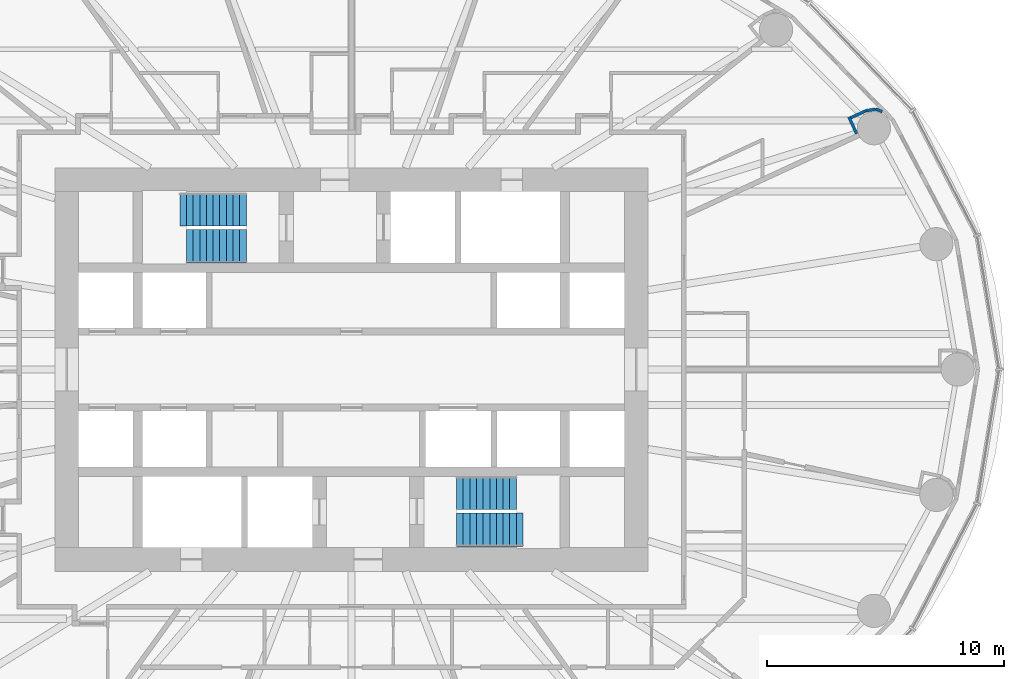
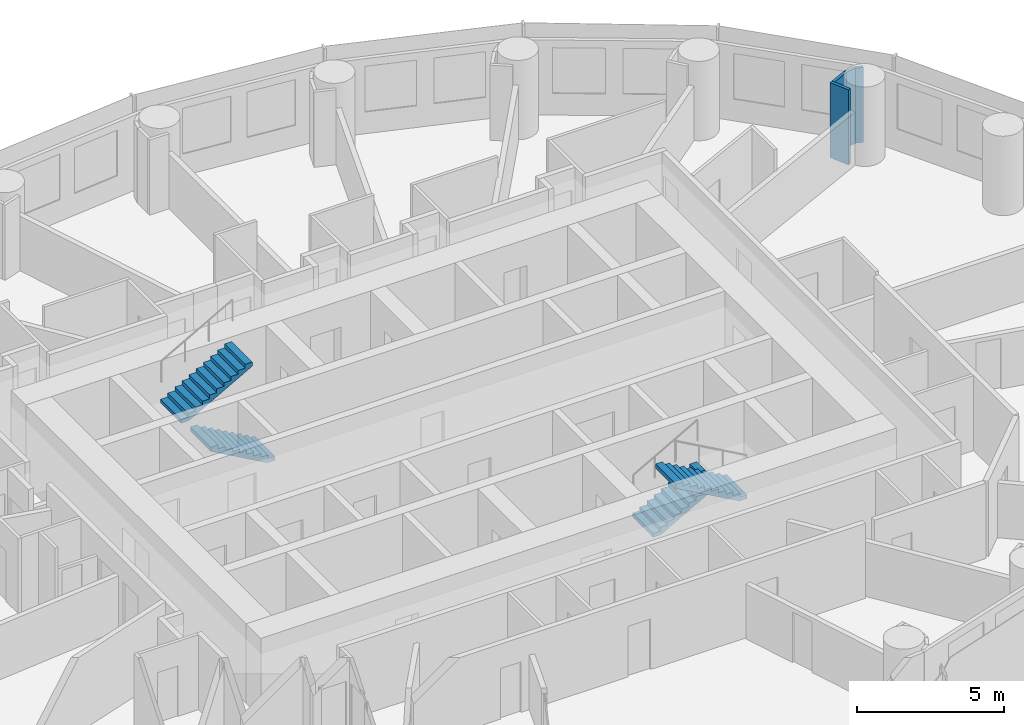
# One storey, part 13 of 14: 4 stair flights, 4 walls, 2 elements without a shape of their own.
"""IFC4 building model written with IfcOpenShell, lengths in metres."""

from ifc_helpers import new_model, si_unit, direction, frame, frame_2d, origin, place, context, subcontext, project, spatial, polyline, rectangle, outline, extrude, material, layer, layer_set, type_object, element, aggregate, save


model = new_model("IFC4")

# Units and contexts
model_context = context("Model", 3, precision=1e-05, world=origin(), true_north=direction((0.0, 1.0)))
body_context = subcontext(model_context, "Body", "Model", "MODEL_VIEW")
ifc_project = project(units=[si_unit("LENGTHUNIT", "METRE"), si_unit("AREAUNIT", "SQUARE_METRE"), si_unit("VOLUMEUNIT", "CUBIC_METRE"), si_unit("PLANEANGLEUNIT", "RADIAN"), si_unit("MASSUNIT", "GRAM", prefix="KILO")], contexts=[model_context])

# Site, building, storey
site_placement = place(None, origin())
site = spatial("IfcSite", under=ifc_project, at=site_placement, CompositionType="ELEMENT")
building_placement = place(site_placement, origin())
building = spatial("IfcBuilding", under=site, at=building_placement, Name="Hankou Lantern Tower", CompositionType="ELEMENT")
storey_placement = place(building_placement, frame((0.0, 0.0, 87.0)))
storey = spatial("IfcBuildingStorey", under=building, at=storey_placement, Name="L22", CompositionType="ELEMENT", Elevation=87.0)

# Walls
ifc_material_1 = material(Name="Masonry lightweight concrete block", Category="masonry")
ifc_layer = layer(ifc_material_1, 0.1201171875)
ifc_layer_set = layer_set([ifc_layer], Name="Masonry lightweight concrete block")
wall_type = type_object("IfcWallType", Name="IW4 PARTITION 120", PredefinedType="PARTITIONING", material=ifc_layer_set)
wall_1_placement = place(storey_placement, frame((21.287109375, 9.9423828125, 0.0), z_axis=(0.0, 0.0, 1.0), x_axis=(-0.419259891039, 0.907866258744, 0.0)))
element("IfcWall", 1, at=wall_1_placement, inside=storey, type_object=wall_type, Name="Column casing R03 return", PredefinedType="PARTITIONING", context=body_context, shape_type="SweptSolid", body=[
    extrude(rectangle(XDim=0.767578125, YDim=0.1201171875, at=frame_2d((0.3837890625, 0.0))), origin(), (0.0, 0.0, 1.0), 3.1201171875),
])
wall_2_placement = place(storey_placement, frame((21.044921875, 10.60986328125, 0.0), z_axis=(0.0, 0.0, 1.0), x_axis=(0.907877701396, 0.419235112208, 0.0)))
element("IfcWall", 2, at=wall_2_placement, inside=storey, type_object=wall_type, Name="Column casing R03", PredefinedType="PARTITIONING", context=body_context, shape_type="SweptSolid", body=[
    extrude(rectangle(XDim=0.699951171875, YDim=0.1201171875, at=frame_2d((0.35009765625, 0.0))), origin(), (0.0, 0.0, 1.0), 3.1201171875),
])
wall_3_placement = place(storey_placement, frame((21.680419921875, 10.9033203125, 0.0), z_axis=(0.0, 0.0, 1.0), x_axis=(0.985446622073, 0.169985161247, 0.0)))
element("IfcWall", 3, at=wall_3_placement, inside=storey, type_object=wall_type, Name="Column casing R03", PredefinedType="PARTITIONING", context=body_context, shape_type="SweptSolid", body=[
    extrude(rectangle(XDim=0.41796875, YDim=0.1201171875, at=frame_2d((0.208984375, 0.0))), origin(), (0.0, 0.0, 1.0), 3.1201171875),
])
wall_4_placement = place(storey_placement, frame((22.09228515625, 10.974365234375, 0.0), z_axis=(0.0, 0.0, 1.0), x_axis=(0.938428160676, -0.345474437912, 0.0)))
element("IfcWall", 4, at=wall_4_placement, inside=storey, type_object=wall_type, Name="Column casing R03", PredefinedType="PARTITIONING", context=body_context, shape_type="SweptSolid", body=[
    extrude(rectangle(XDim=0.2939453125, YDim=0.1201171875, at=frame_2d((0.14697265625, 0.0))), origin(), (0.0, 0.0, 1.0), 3.1201171875),
])

# Stair, stair flight
ifc_material_2 = material(Name="Concrete C40", Category="concrete")
stair_type = type_object("IfcStairType", Name="ST33 CORE STAIR 3300 RISE", PredefinedType="HALF_TURN_STAIR", material=ifc_material_2)
stair_1_placement = place(storey_placement, origin())
stair_1 = element("IfcStair", 5, at=stair_1_placement, inside=storey, type_object=stair_type, Name="Stair STA L22", PredefinedType="HALF_TURN_STAIR")
ifc_material_3 = material(Name="Concrete C40", Category="concrete")
stair_flight_type_1 = type_object("IfcStairFlightType", Name="CF10 CORE STAIR FLIGHT 1400 X 10 RISERS", PredefinedType="STRAIGHT", material=ifc_material_3)
stair_flight_1_placement = place(storey_placement, frame((-4.429931640625, 5.199951171875, 0.0), z_axis=(0.0, 0.0, 1.0), x_axis=(-1.0, 0.0, 0.0)))
stair_flight_1 = element("IfcStairFlight", 6, at=stair_flight_1_placement, type_object=stair_flight_type_1, Name="STA flight 1", NumberOfRisers=10, NumberOfTreads=9, PredefinedType="STRAIGHT", RiserHeight=0.157142857, TreadLength=0.28, context=body_context, shape_type="SweptSolid", body=[
    extrude(outline(polyline([(0.0, 0.0), (0.0, 0.1572265625), (0.280029296875, 0.1572265625), (0.280029296875, 0.314208984375), (0.56005859375, 0.314208984375), (0.56005859375, 0.471435546875), (0.840087890625, 0.471435546875), (0.840087890625, 0.628662109375), (1.1201171875, 0.628662109375), (1.1201171875, 0.78564453125), (1.39990234375, 0.78564453125), (1.39990234375, 0.94287109375), (1.679931640625, 0.94287109375), (1.679931640625, 1.10009765625), (1.9599609375, 1.10009765625), (1.9599609375, 1.257080078125), (2.239990234375, 1.257080078125), (2.239990234375, 1.414306640625), (2.52001953125, 1.414306640625), (2.52001953125, 1.571533203125), (2.52001953125, 1.242431640625), (0.306396484375, 0.0), (0.0, 0.0)])), frame((0.0, 0.699951171875, 0.0), z_axis=(0.0, -1.0, 0.0), x_axis=(1.0, 0.0, 0.0)), (0.0, 0.0, 1.0), 1.39990234375),
])

stair_2_placement = place(storey_placement, origin())
stair_2 = element("IfcStair", 7, at=stair_2_placement, inside=storey, type_object=stair_type, Name="Stair STB L22", PredefinedType="HALF_TURN_STAIR")
stair_flight_2_placement = place(storey_placement, frame((4.429931640625, -5.199951171875, 0.0), z_axis=(0.0, 0.0, 1.0), x_axis=(1.0, 0.0, 0.0)))
stair_flight_2 = element("IfcStairFlight", 8, at=stair_flight_2_placement, type_object=stair_flight_type_1, Name="STB flight 1", NumberOfRisers=10, NumberOfTreads=9, PredefinedType="STRAIGHT", RiserHeight=0.157142857, TreadLength=0.28, context=body_context, shape_type="SweptSolid", body=[
    extrude(outline(polyline([(0.0, 0.0), (0.0, 0.1572265625), (0.280029296875, 0.1572265625), (0.280029296875, 0.314208984375), (0.56005859375, 0.314208984375), (0.56005859375, 0.471435546875), (0.840087890625, 0.471435546875), (0.840087890625, 0.628662109375), (1.1201171875, 0.628662109375), (1.1201171875, 0.78564453125), (1.39990234375, 0.78564453125), (1.39990234375, 0.94287109375), (1.679931640625, 0.94287109375), (1.679931640625, 1.10009765625), (1.9599609375, 1.10009765625), (1.9599609375, 1.257080078125), (2.239990234375, 1.257080078125), (2.239990234375, 1.414306640625), (2.52001953125, 1.414306640625), (2.52001953125, 1.571533203125), (2.52001953125, 1.242431640625), (0.306396484375, 0.0), (0.0, 0.0)])), frame((0.0, 0.699951171875, 0.0), z_axis=(0.0, -1.0, 0.0), x_axis=(1.0, 0.0, 0.0)), (0.0, 0.0, 1.0), 1.39990234375),
])

# Stair flight
ifc_material_4 = material(Name="Concrete C40", Category="concrete")
stair_flight_type_2 = type_object("IfcStairFlightType", Name="CF11 CORE STAIR FLIGHT 1400 X 11 RISERS", PredefinedType="STRAIGHT", material=ifc_material_4)
stair_flight_3_placement = place(storey_placement, frame((-7.22998046875, 6.75, 1.571533203125), z_axis=(0.0, 0.0, 1.0), x_axis=(1.0, 0.0, 0.0)))
stair_flight_3 = element("IfcStairFlight", 9, at=stair_flight_3_placement, type_object=stair_flight_type_2, Name="STA flight 2", NumberOfRisers=11, NumberOfTreads=10, PredefinedType="STRAIGHT", RiserHeight=0.157142857, TreadLength=0.28, context=body_context, shape_type="SweptSolid", body=[
    extrude(outline(polyline([(0.0, 0.0), (0.0, 0.1572265625), (0.280029296875, 0.1572265625), (0.280029296875, 0.314208984375), (0.56005859375, 0.314208984375), (0.56005859375, 0.471435546875), (0.840087890625, 0.471435546875), (0.840087890625, 0.628662109375), (1.1201171875, 0.628662109375), (1.1201171875, 0.78564453125), (1.39990234375, 0.78564453125), (1.39990234375, 0.94287109375), (1.679931640625, 0.94287109375), (1.679931640625, 1.10009765625), (1.9599609375, 1.10009765625), (1.9599609375, 1.257080078125), (2.239990234375, 1.257080078125), (2.239990234375, 1.414306640625), (2.52001953125, 1.414306640625), (2.52001953125, 1.571533203125), (2.800048828125, 1.571533203125), (2.800048828125, 1.728515625), (2.800048828125, 1.3994140625), (0.306396484375, 0.0), (0.0, 0.0)])), frame((0.0, 0.699951171875, 0.0), z_axis=(0.0, -1.0, 0.0), x_axis=(1.0, 0.0, 0.0)), (0.0, 0.0, 1.0), 1.39990234375),
])

aggregate(stair_1, [stair_flight_1, stair_flight_3])

stair_flight_4_placement = place(storey_placement, frame((7.22998046875, -6.75, 1.571533203125), z_axis=(0.0, 0.0, 1.0), x_axis=(-1.0, 0.0, 0.0)))
stair_flight_4 = element("IfcStairFlight", 10, at=stair_flight_4_placement, type_object=stair_flight_type_2, Name="STB flight 2", NumberOfRisers=11, NumberOfTreads=10, PredefinedType="STRAIGHT", RiserHeight=0.157142857, TreadLength=0.28, context=body_context, shape_type="SweptSolid", body=[
    extrude(outline(polyline([(0.0, 0.0), (0.0, 0.1572265625), (0.280029296875, 0.1572265625), (0.280029296875, 0.314208984375), (0.56005859375, 0.314208984375), (0.56005859375, 0.471435546875), (0.840087890625, 0.471435546875), (0.840087890625, 0.628662109375), (1.1201171875, 0.628662109375), (1.1201171875, 0.78564453125), (1.39990234375, 0.78564453125), (1.39990234375, 0.94287109375), (1.679931640625, 0.94287109375), (1.679931640625, 1.10009765625), (1.9599609375, 1.10009765625), (1.9599609375, 1.257080078125), (2.239990234375, 1.257080078125), (2.239990234375, 1.414306640625), (2.52001953125, 1.414306640625), (2.52001953125, 1.571533203125), (2.800048828125, 1.571533203125), (2.800048828125, 1.728515625), (2.800048828125, 1.3994140625), (0.306396484375, 0.0), (0.0, 0.0)])), frame((0.0, 0.699951171875, 0.0), z_axis=(0.0, -1.0, 0.0), x_axis=(1.0, 0.0, 0.0)), (0.0, 0.0, 1.0), 1.39990234375),
])

aggregate(stair_2, [stair_flight_2, stair_flight_4])

save(model, "model.ifc")
